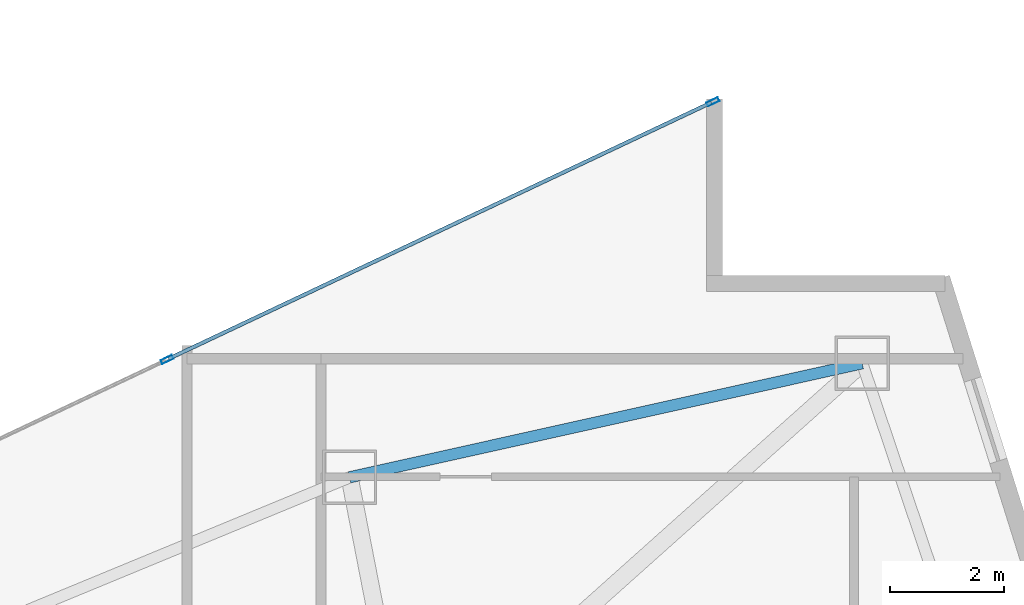
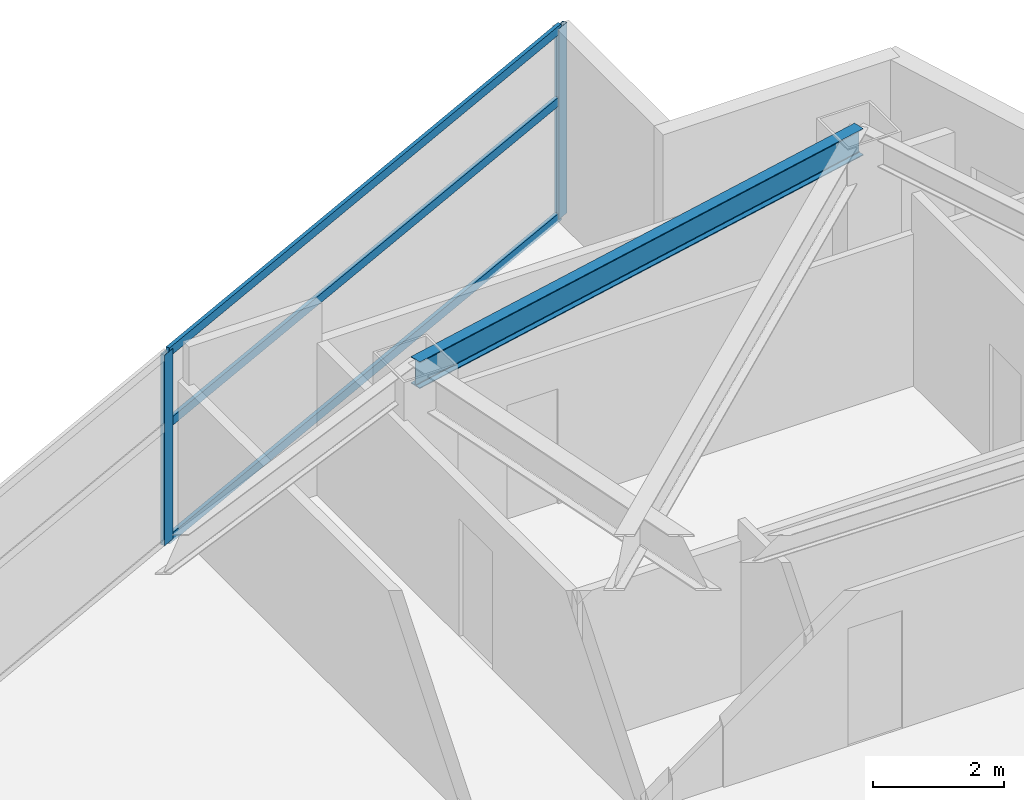
# One storey, part 20 of 30: 5 members, 1 beam, 1 element without a shape of its own.
"""IFC4 building model written with IfcOpenShell, lengths in metres."""

from ifc_helpers import new_model, si_unit, direction, frame, origin, origin_2d, place, context, subcontext, project, spatial, hollow_rectangle, i_section, extrude, material, layer, layer_set, material_profile, profile_set, type_object, element, aggregate, save


model = new_model("IFC4")

# Units and contexts
model_context = context("Model", 3, precision=1e-05, world=origin(), true_north=direction((0.0, 1.0)))
body_context = subcontext(model_context, "Body", "Model", "MODEL_VIEW")
ifc_project = project(units=[si_unit("LENGTHUNIT", "METRE"), si_unit("AREAUNIT", "SQUARE_METRE"), si_unit("VOLUMEUNIT", "CUBIC_METRE"), si_unit("PLANEANGLEUNIT", "RADIAN"), si_unit("MASSUNIT", "GRAM", prefix="KILO")], contexts=[model_context])

# Site, building, storey
site_placement = place(None, origin())
site = spatial("IfcSite", under=ifc_project, at=site_placement, CompositionType="ELEMENT")
building_placement = place(site_placement, origin())
building = spatial("IfcBuilding", under=site, at=building_placement, Name="Calvorn Quay Hotel", CompositionType="ELEMENT")
storey_placement = place(building_placement, frame((0.0, 0.0, 73.60009765625)))
storey = spatial("IfcBuildingStorey", under=building, at=storey_placement, Name="L17", CompositionType="ELEMENT", Elevation=73.60009765625)

# Beam
ifc_material_1 = material(Name="Steel Q355B", Category="steel")
ifc_material_profile_1 = material_profile(ifc_material_1, i_section(OverallWidth=0.199951171875, OverallDepth=0.5, WebThickness=0.010009765625, FlangeThickness=0.01611328125, FilletRadius=0.01611328125, at=origin_2d()), Name="HN500x200x10x16")
ifc_profile_set_1 = profile_set([ifc_material_profile_1], Name="Steel Q355B")
beam_type = type_object("IfcBeamType", Name="BM-SPANDREL-Z1", PredefinedType="SPANDREL", material=ifc_profile_set_1)
beam_placement = place(storey_placement, frame((52.990966796875, 33.39990234375, 3.289794921875), z_axis=(-0.976140886259, -0.217138136156, 0.0), x_axis=(0.217138136156, -0.976140886259, 0.0)))
element("IfcBeam", 1, at=beam_placement, inside=storey, type_object=beam_type, Name="Beam BSP-L17-E3", PredefinedType="SPANDREL", context=body_context, shape_type="SweptSolid", body=[
    extrude(i_section(OverallWidth=0.199951171875, OverallDepth=0.5, WebThickness=0.010009765625, FlangeThickness=0.01611328125, FilletRadius=0.01611328125, at=origin_2d()), origin(), (0.0, 0.0, 1.0), 9.210693359375),
])

# Curtain wall, members
ifc_material_2 = material(Name="Pale Anodised Aluminium and Low-E Glass", Category="aluminium")
ifc_layer = layer(ifc_material_2, 0.219970703125)
ifc_layer_set = layer_set([ifc_layer], Name="CW-SYS-Z1")
curtain_wall_type = type_object("IfcCurtainWallType", Name="CW-SYS-Z1", PredefinedType="NOTDEFINED", material=ifc_layer_set)
curtain_wall_placement = place(storey_placement, origin())
curtain_wall = element("IfcCurtainWall", 2, at=curtain_wall_placement, inside=storey, type_object=curtain_wall_type, Name="Inner Court Curtain Wall L17-NE1", PredefinedType="NOTDEFINED")
ifc_material_3 = material(Name="Pale Anodised Aluminium 6063-T6", Category="aluminium")
ifc_material_profile_2 = material_profile(ifc_material_3, hollow_rectangle(XDim=0.074951171875, YDim=0.219970703125, WallThickness=0.00439453125, at=origin_2d()), Name="ALU-M220x75x4.5")
ifc_profile_set_2 = profile_set([ifc_material_profile_2], Name="Pale Anodised Aluminium 6063-T6")
member_type_1 = type_object("IfcMemberType", Name="CW-SYS-Z1-MUL", PredefinedType="MULLION", material=ifc_profile_set_2)
member_1_placement = place(storey_placement, frame((50.372802734375, 37.9873046875, 0.0), z_axis=(0.0, 0.0, 1.0), x_axis=(0.427006305415, -0.904248646743, 0.0)))
member_1 = element("IfcMember", 3, at=member_1_placement, type_object=member_type_1, Name="CW-L17-NE1 mullion 1", PredefinedType="MULLION", context=body_context, shape_type="SweptSolid", body=[
    extrude(hollow_rectangle(XDim=0.074951171875, YDim=0.219970703125, WallThickness=0.00439453125, at=origin_2d()), origin(), (0.0, 0.0, 1.0), 3.559814453125),
])
member_2_placement = place(storey_placement, frame((40.800048828125, 33.466552734375, 0.0), z_axis=(0.0, 0.0, 1.0), x_axis=(0.427006305415, -0.904248646743, 0.0)))
member_2 = element("IfcMember", 4, at=member_2_placement, type_object=member_type_1, Name="CW-L17-NE1 mullion 2", PredefinedType="MULLION", context=body_context, shape_type="SweptSolid", body=[
    extrude(hollow_rectangle(XDim=0.074951171875, YDim=0.219970703125, WallThickness=0.00439453125, at=origin_2d()), origin(), (0.0, 0.0, 1.0), 3.559814453125),
])
ifc_material_4 = material(Name="Pale Anodised Aluminium 6063-T6", Category="aluminium")
ifc_material_profile_3 = material_profile(ifc_material_4, hollow_rectangle(XDim=0.06494140625, YDim=0.1650390625, WallThickness=0.00341796875, at=origin_2d()), Name="ALU-T165x65x3.5")
ifc_profile_set_3 = profile_set([ifc_material_profile_3], Name="Pale Anodised Aluminium 6063-T6")
member_type_2 = type_object("IfcMemberType", Name="CW-SYS-Z1-TRN", PredefinedType="USERDEFINED", material=ifc_profile_set_3)
member_3_placement = place(storey_placement, frame((50.345703125, 37.974365234375, 0.02978515625), z_axis=(-0.904248646746, -0.427006305408, 0.0), x_axis=(0.427006305408, -0.904248646746, 0.0)))
member_3 = element("IfcMember", 5, at=member_3_placement, type_object=member_type_2, Name="CW-L17-NE1 transom 1.1", ObjectType="TRANSOM", PredefinedType="USERDEFINED", context=body_context, shape_type="SweptSolid", body=[
    extrude(hollow_rectangle(XDim=0.06494140625, YDim=0.1650390625, WallThickness=0.00341796875, at=origin_2d()), origin(), (0.0, 0.0, 1.0), 10.5263671875),
])
member_4_placement = place(storey_placement, frame((50.345703125, 37.974365234375, 2.199951171875), z_axis=(-0.904248646746, -0.427006305408, 0.0), x_axis=(0.427006305408, -0.904248646746, 0.0)))
member_4 = element("IfcMember", 6, at=member_4_placement, type_object=member_type_2, Name="CW-L17-NE1 transom 1.2", ObjectType="TRANSOM", PredefinedType="USERDEFINED", context=body_context, shape_type="SweptSolid", body=[
    extrude(hollow_rectangle(XDim=0.06494140625, YDim=0.1650390625, WallThickness=0.00341796875, at=origin_2d()), origin(), (0.0, 0.0, 1.0), 10.5263671875),
])
member_5_placement = place(storey_placement, frame((50.345703125, 37.974365234375, 3.52978515625), z_axis=(-0.904248646746, -0.427006305408, 0.0), x_axis=(0.427006305408, -0.904248646746, 0.0)))
member_5 = element("IfcMember", 7, at=member_5_placement, type_object=member_type_2, Name="CW-L17-NE1 transom 1.3", ObjectType="TRANSOM", PredefinedType="USERDEFINED", context=body_context, shape_type="SweptSolid", body=[
    extrude(hollow_rectangle(XDim=0.06494140625, YDim=0.1650390625, WallThickness=0.00341796875, at=origin_2d()), origin(), (0.0, 0.0, 1.0), 10.5263671875),
])
aggregate(curtain_wall, [member_1, member_2, member_3, member_4, member_5])

save(model, "model.ifc")
